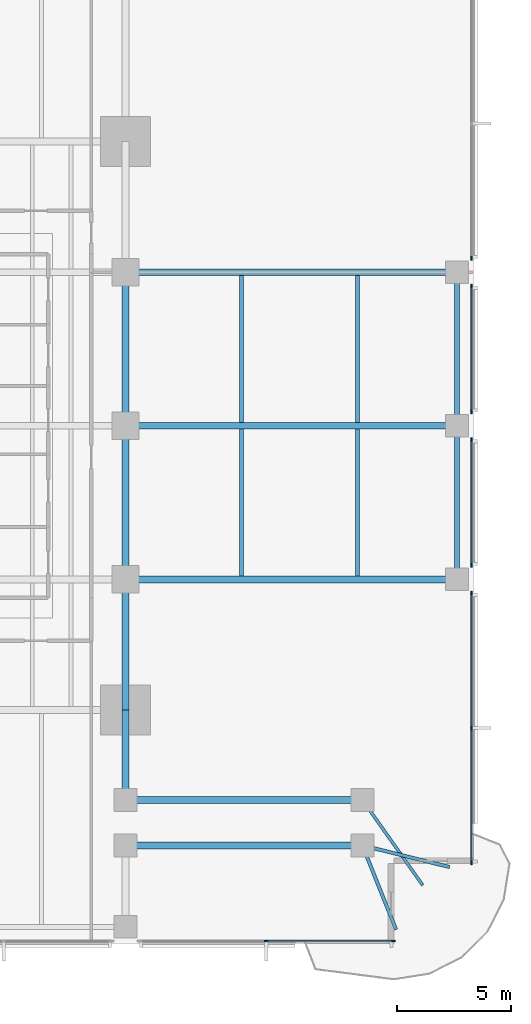
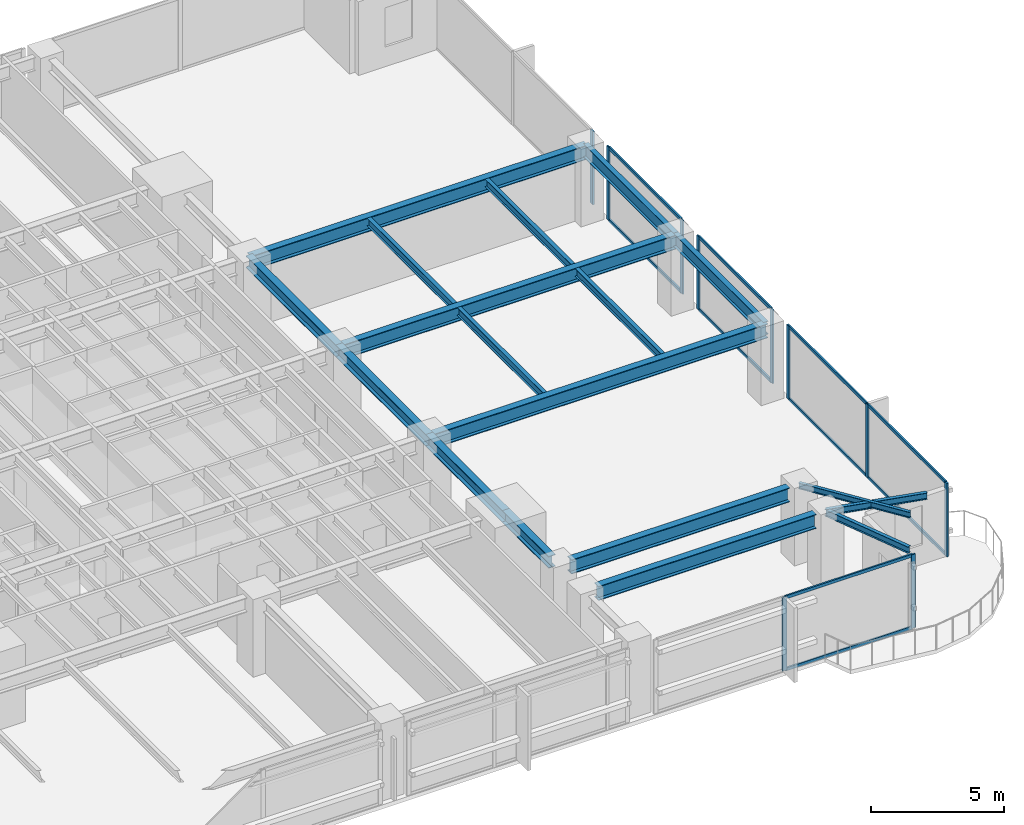
# One storey, part 4 of 15: 20 members, 18 beams, 5 elements without a shape of their own.
"""IFC4 building model written with IfcOpenShell, lengths in metres."""

from ifc_helpers import new_model, si_unit, direction, frame, origin, origin_2d, place, context, subcontext, project, spatial, rectangle, i_section, extrude, material, layer, layer_set, material_profile, profile_set, type_object, element, aggregate, save


model = new_model("IFC4")

# Units and contexts
model_context = context("Model", 3, precision=1e-05, world=origin(), true_north=direction((0.0, 1.0)))
body_context = subcontext(model_context, "Body", "Model", "MODEL_VIEW")
ifc_project = project(units=[si_unit("LENGTHUNIT", "METRE"), si_unit("AREAUNIT", "SQUARE_METRE"), si_unit("VOLUMEUNIT", "CUBIC_METRE"), si_unit("PLANEANGLEUNIT", "RADIAN"), si_unit("MASSUNIT", "GRAM", prefix="KILO")], contexts=[model_context])

# Site, building, storey
site_placement = place(None, origin())
site = spatial("IfcSite", under=ifc_project, at=site_placement, CompositionType="ELEMENT")
building_placement = place(site_placement, origin())
building = spatial("IfcBuilding", under=site, at=building_placement, Name="Kinhvarn Gate Tower", CompositionType="ELEMENT")
storey_placement = place(building_placement, frame((0.0, 0.0, 71.75)))
storey = spatial("IfcBuildingStorey", under=building, at=storey_placement, Name="L18", CompositionType="ELEMENT", Elevation=71.75)

# Curtain wall, members
ifc_material_1 = material(Name="Anodised aluminium AW-6063", Category="aluminium")
ifc_layer = layer(ifc_material_1, 0.179931640625)
ifc_layer_set = layer_set([ifc_layer], Name="Anodised aluminium AW-6063")
curtain_wall_type = type_object("IfcCurtainWallType", Name="CW-SYS-2", PredefinedType="NOTDEFINED", material=ifc_layer_set)
curtain_wall_1_placement = place(storey_placement, origin())
curtain_wall_1 = element("IfcCurtainWall", 1, at=curtain_wall_1_placement, inside=storey, type_object=curtain_wall_type, Name="Curtain Wall CW2 (L18)", PredefinedType="NOTDEFINED")
ifc_material_profile_1 = material_profile(ifc_material_1, rectangle(XDim=0.070068359375, YDim=0.179931640625, at=origin_2d()), Name="ALU 70x180")
ifc_profile_set_1 = profile_set([ifc_material_profile_1], Name="Anodised aluminium AW-6063")
member_type_1 = type_object("IfcMemberType", Name="CW-MUL-180", PredefinedType="MULLION", material=ifc_profile_set_1)
member_1_placement = place(storey_placement, frame((44.389892578125, 2.590087890625, 0.0), z_axis=(0.0, 0.0, 1.0), x_axis=(0.0, 1.0, 0.0)))
member_1 = element("IfcMember", 2, at=member_1_placement, type_object=member_type_1, Name="CW2 mullion 2", PredefinedType="MULLION", context=body_context, shape_type="SweptSolid", body=[
    extrude(rectangle(XDim=0.070068359375, YDim=0.179931640625, at=origin_2d()), origin(), (0.0, 0.0, 1.0), 3.3701171875),
])
member_2_placement = place(storey_placement, frame((49.965087890625, 2.590087890625, 0.0), z_axis=(0.0, 0.0, 1.0), x_axis=(0.0, 1.0, 0.0)))
member_2 = element("IfcMember", 3, at=member_2_placement, type_object=member_type_1, Name="CW2 mullion 3", PredefinedType="MULLION", context=body_context, shape_type="SweptSolid", body=[
    extrude(rectangle(XDim=0.070068359375, YDim=0.179931640625, at=origin_2d()), origin(), (0.0, 0.0, 1.0), 3.3701171875),
])

curtain_wall_2_placement = place(storey_placement, origin())
curtain_wall_2 = element("IfcCurtainWall", 4, at=curtain_wall_2_placement, inside=storey, type_object=curtain_wall_type, Name="Curtain Wall CW2 (L18)", PredefinedType="NOTDEFINED")
member_3_placement = place(storey_placement, frame((53.409912109375, 6.034912109375, 0.0), z_axis=(0.0, 0.0, 1.0), x_axis=(-1.0, 0.0, 0.0)))
member_3 = element("IfcMember", 5, at=member_3_placement, type_object=member_type_1, Name="CW2 mullion 1", PredefinedType="MULLION", context=body_context, shape_type="SweptSolid", body=[
    extrude(rectangle(XDim=0.070068359375, YDim=0.179931640625, at=origin_2d()), origin(), (0.0, 0.0, 1.0), 3.3701171875),
])
member_4_placement = place(storey_placement, frame((53.409912109375, 11.9599609375, 0.0), z_axis=(0.0, 0.0, 1.0), x_axis=(-1.0, 0.0, 0.0)))
member_4 = element("IfcMember", 6, at=member_4_placement, type_object=member_type_1, Name="CW2 mullion 2", PredefinedType="MULLION", context=body_context, shape_type="SweptSolid", body=[
    extrude(rectangle(XDim=0.070068359375, YDim=0.179931640625, at=origin_2d()), origin(), (0.0, 0.0, 1.0), 3.3701171875),
])
member_5_placement = place(storey_placement, frame((53.409912109375, 17.885009765625, 0.0), z_axis=(0.0, 0.0, 1.0), x_axis=(-1.0, 0.0, 0.0)))
member_5 = element("IfcMember", 7, at=member_5_placement, type_object=member_type_1, Name="CW2 mullion 3", PredefinedType="MULLION", context=body_context, shape_type="SweptSolid", body=[
    extrude(rectangle(XDim=0.070068359375, YDim=0.179931640625, at=origin_2d()), origin(), (0.0, 0.0, 1.0), 3.3701171875),
])

curtain_wall_3_placement = place(storey_placement, origin())
curtain_wall_3 = element("IfcCurtainWall", 8, at=curtain_wall_3_placement, inside=storey, type_object=curtain_wall_type, Name="Curtain Wall CW2 (L18)", PredefinedType="NOTDEFINED")
member_6_placement = place(storey_placement, frame((53.409912109375, 19.114990234375, 0.0), z_axis=(0.0, 0.0, 1.0), x_axis=(-1.0, 0.0, 0.0)))
member_6 = element("IfcMember", 9, at=member_6_placement, type_object=member_type_1, Name="CW2 mullion 1", PredefinedType="MULLION", context=body_context, shape_type="SweptSolid", body=[
    extrude(rectangle(XDim=0.070068359375, YDim=0.179931640625, at=origin_2d()), origin(), (0.0, 0.0, 1.0), 3.3701171875),
])
member_7_placement = place(storey_placement, frame((53.409912109375, 24.635009765625, 0.0), z_axis=(0.0, 0.0, 1.0), x_axis=(-1.0, 0.0, 0.0)))
member_7 = element("IfcMember", 10, at=member_7_placement, type_object=member_type_1, Name="CW2 mullion 2", PredefinedType="MULLION", context=body_context, shape_type="SweptSolid", body=[
    extrude(rectangle(XDim=0.070068359375, YDim=0.179931640625, at=origin_2d()), origin(), (0.0, 0.0, 1.0), 3.3701171875),
])

curtain_wall_4_placement = place(storey_placement, origin())
curtain_wall_4 = element("IfcCurtainWall", 11, at=curtain_wall_4_placement, inside=storey, type_object=curtain_wall_type, Name="Curtain Wall CW2 (L18)", PredefinedType="NOTDEFINED")
member_8_placement = place(storey_placement, frame((53.409912109375, 25.864990234375, 0.0), z_axis=(0.0, 0.0, 1.0), x_axis=(-1.0, 0.0, 0.0)))
member_8 = element("IfcMember", 12, at=member_8_placement, type_object=member_type_1, Name="CW2 mullion 1", PredefinedType="MULLION", context=body_context, shape_type="SweptSolid", body=[
    extrude(rectangle(XDim=0.070068359375, YDim=0.179931640625, at=origin_2d()), origin(), (0.0, 0.0, 1.0), 3.3701171875),
])
member_9_placement = place(storey_placement, frame((53.409912109375, 31.385009765625, 0.0), z_axis=(0.0, 0.0, 1.0), x_axis=(-1.0, 0.0, 0.0)))
member_9 = element("IfcMember", 13, at=member_9_placement, type_object=member_type_1, Name="CW2 mullion 2", PredefinedType="MULLION", context=body_context, shape_type="SweptSolid", body=[
    extrude(rectangle(XDim=0.070068359375, YDim=0.179931640625, at=origin_2d()), origin(), (0.0, 0.0, 1.0), 3.3701171875),
])

# Curtain wall, member
curtain_wall_5_placement = place(storey_placement, origin())
curtain_wall_5 = element("IfcCurtainWall", 14, at=curtain_wall_5_placement, inside=storey, type_object=curtain_wall_type, Name="Curtain Wall CW2 (L18)", PredefinedType="NOTDEFINED")
member_10_placement = place(storey_placement, frame((53.409912109375, 32.614990234375, 0.0), z_axis=(0.0, 0.0, 1.0), x_axis=(-1.0, 0.0, 0.0)))
member_10 = element("IfcMember", 15, at=member_10_placement, type_object=member_type_1, Name="CW2 mullion 1", PredefinedType="MULLION", context=body_context, shape_type="SweptSolid", body=[
    extrude(rectangle(XDim=0.070068359375, YDim=0.179931640625, at=origin_2d()), origin(), (0.0, 0.0, 1.0), 3.3701171875),
])
aggregate(curtain_wall_5, [member_10])

# Member
ifc_material_profile_2 = material_profile(ifc_material_1, rectangle(XDim=0.070068359375, YDim=0.139892578125, at=origin_2d()), Name="ALU 70x140")
ifc_profile_set_2 = profile_set([ifc_material_profile_2], Name="Anodised aluminium AW-6063")
member_type_2 = type_object("IfcMemberType", Name="CW-TRN-140", PredefinedType="USERDEFINED", material=ifc_profile_set_2)
member_11_placement = place(storey_placement, frame((44.425048828125, 2.590087890625, 0.034912109375), z_axis=(1.0, 0.0, 0.0), x_axis=(0.0, 1.0, 0.0)))
member_11 = element("IfcMember", 16, at=member_11_placement, type_object=member_type_2, Name="CW2 transom 2.1", ObjectType="TRANSOM", PredefinedType="USERDEFINED", context=body_context, shape_type="SweptSolid", body=[
    extrude(rectangle(XDim=0.070068359375, YDim=0.139892578125, at=origin_2d()), origin(), (0.0, 0.0, 1.0), 5.5048828125),
])

member_12_placement = place(storey_placement, frame((44.425048828125, 2.590087890625, 3.3349609375), z_axis=(1.0, 0.0, 0.0), x_axis=(0.0, 1.0, 0.0)))
member_12 = element("IfcMember", 17, at=member_12_placement, type_object=member_type_2, Name="CW2 transom 2.2", ObjectType="TRANSOM", PredefinedType="USERDEFINED", context=body_context, shape_type="SweptSolid", body=[
    extrude(rectangle(XDim=0.070068359375, YDim=0.139892578125, at=origin_2d()), origin(), (0.0, 0.0, 1.0), 5.5048828125),
])

aggregate(curtain_wall_1, [member_1, member_2, member_11, member_12])

member_13_placement = place(storey_placement, frame((53.409912109375, 6.070068359375, 0.034912109375), z_axis=(0.0, 1.0, 0.0), x_axis=(-1.0, 0.0, 0.0)))
member_13 = element("IfcMember", 18, at=member_13_placement, type_object=member_type_2, Name="CW2 transom 1.1", ObjectType="TRANSOM", PredefinedType="USERDEFINED", context=body_context, shape_type="SweptSolid", body=[
    extrude(rectangle(XDim=0.070068359375, YDim=0.139892578125, at=origin_2d()), origin(), (0.0, 0.0, 1.0), 5.85498046875),
])

member_14_placement = place(storey_placement, frame((53.409912109375, 6.070068359375, 3.3349609375), z_axis=(0.0, 1.0, 0.0), x_axis=(-1.0, 0.0, 0.0)))
member_14 = element("IfcMember", 19, at=member_14_placement, type_object=member_type_2, Name="CW2 transom 1.2", ObjectType="TRANSOM", PredefinedType="USERDEFINED", context=body_context, shape_type="SweptSolid", body=[
    extrude(rectangle(XDim=0.070068359375, YDim=0.139892578125, at=origin_2d()), origin(), (0.0, 0.0, 1.0), 5.85498046875),
])

member_15_placement = place(storey_placement, frame((53.409912109375, 11.9951171875, 0.034912109375), z_axis=(0.0, 1.0, 0.0), x_axis=(-1.0, 0.0, 0.0)))
member_15 = element("IfcMember", 20, at=member_15_placement, type_object=member_type_2, Name="CW2 transom 2.1", ObjectType="TRANSOM", PredefinedType="USERDEFINED", context=body_context, shape_type="SweptSolid", body=[
    extrude(rectangle(XDim=0.070068359375, YDim=0.139892578125, at=origin_2d()), origin(), (0.0, 0.0, 1.0), 5.85498046875),
])

member_16_placement = place(storey_placement, frame((53.409912109375, 11.9951171875, 3.3349609375), z_axis=(0.0, 1.0, 0.0), x_axis=(-1.0, 0.0, 0.0)))
member_16 = element("IfcMember", 21, at=member_16_placement, type_object=member_type_2, Name="CW2 transom 2.2", ObjectType="TRANSOM", PredefinedType="USERDEFINED", context=body_context, shape_type="SweptSolid", body=[
    extrude(rectangle(XDim=0.070068359375, YDim=0.139892578125, at=origin_2d()), origin(), (0.0, 0.0, 1.0), 5.85498046875),
])

aggregate(curtain_wall_2, [member_3, member_4, member_5, member_13, member_14, member_15, member_16])

member_17_placement = place(storey_placement, frame((53.409912109375, 19.14990234375, 0.034912109375), z_axis=(0.0, 1.0, 0.0), x_axis=(-1.0, 0.0, 0.0)))
member_17 = element("IfcMember", 22, at=member_17_placement, type_object=member_type_2, Name="CW2 transom 1.1", ObjectType="TRANSOM", PredefinedType="USERDEFINED", context=body_context, shape_type="SweptSolid", body=[
    extrude(rectangle(XDim=0.070068359375, YDim=0.139892578125, at=origin_2d()), origin(), (0.0, 0.0, 1.0), 5.4501953125),
])

member_18_placement = place(storey_placement, frame((53.409912109375, 19.14990234375, 3.3349609375), z_axis=(0.0, 1.0, 0.0), x_axis=(-1.0, 0.0, 0.0)))
member_18 = element("IfcMember", 23, at=member_18_placement, type_object=member_type_2, Name="CW2 transom 1.2", ObjectType="TRANSOM", PredefinedType="USERDEFINED", context=body_context, shape_type="SweptSolid", body=[
    extrude(rectangle(XDim=0.070068359375, YDim=0.139892578125, at=origin_2d()), origin(), (0.0, 0.0, 1.0), 5.4501953125),
])

aggregate(curtain_wall_3, [member_6, member_7, member_17, member_18])

member_19_placement = place(storey_placement, frame((53.409912109375, 25.89990234375, 0.034912109375), z_axis=(0.0, 1.0, 0.0), x_axis=(-1.0, 0.0, 0.0)))
member_19 = element("IfcMember", 24, at=member_19_placement, type_object=member_type_2, Name="CW2 transom 1.1", ObjectType="TRANSOM", PredefinedType="USERDEFINED", context=body_context, shape_type="SweptSolid", body=[
    extrude(rectangle(XDim=0.070068359375, YDim=0.139892578125, at=origin_2d()), origin(), (0.0, 0.0, 1.0), 5.4501953125),
])

member_20_placement = place(storey_placement, frame((53.409912109375, 25.89990234375, 3.3349609375), z_axis=(0.0, 1.0, 0.0), x_axis=(-1.0, 0.0, 0.0)))
member_20 = element("IfcMember", 25, at=member_20_placement, type_object=member_type_2, Name="CW2 transom 1.2", ObjectType="TRANSOM", PredefinedType="USERDEFINED", context=body_context, shape_type="SweptSolid", body=[
    extrude(rectangle(XDim=0.070068359375, YDim=0.139892578125, at=origin_2d()), origin(), (0.0, 0.0, 1.0), 5.4501953125),
])

aggregate(curtain_wall_4, [member_8, member_9, member_19, member_20])

# Beams
ifc_material_2 = material(Name="Steel S355", Category="steel")
ifc_material_profile_3 = material_profile(ifc_material_2, i_section(OverallWidth=0.300048828125, OverallDepth=0.550048828125, WebThickness=0.014892578125, FlangeThickness=0.029052734375, at=origin_2d()), Name="HEB 550")
ifc_profile_set_3 = profile_set([ifc_material_profile_3], Name="Steel S355")
beam_type_1 = type_object("IfcBeamType", Name="STL-HEB550", PredefinedType="BEAM", material=ifc_profile_set_3)
beam_1_placement = place(storey_placement, frame((38.199951171875, 9.284912109375, 3.094970703125), z_axis=(0.0, 1.0, 0.0), x_axis=(-1.0, 0.0, 0.0)))
element("IfcBeam", 26, at=beam_1_placement, inside=storey, type_object=beam_type_1, Name="Floor Beam PG-15 (L18 MCE-S-A2)", PredefinedType="BEAM", context=body_context, shape_type="SweptSolid", body=[
    extrude(i_section(OverallWidth=0.300048828125, OverallDepth=0.550048828125, WebThickness=0.014892578125, FlangeThickness=0.029052734375, at=origin_2d()), origin(), (0.0, 0.0, 1.0), 3.465087890625),
])
beam_2_placement = place(storey_placement, frame((38.199951171875, 12.75, 3.094970703125), z_axis=(0.0, 1.0, 0.0), x_axis=(-1.0, 0.0, 0.0)))
element("IfcBeam", 27, at=beam_2_placement, inside=storey, type_object=beam_type_1, Name="Floor Beam PG-15 (L18 MG-E-12)", PredefinedType="BEAM", context=body_context, shape_type="SweptSolid", body=[
    extrude(i_section(OverallWidth=0.300048828125, OverallDepth=0.550048828125, WebThickness=0.014892578125, FlangeThickness=0.029052734375, at=origin_2d()), origin(), (0.0, 0.0, 1.0), 5.75),
])
for number, where, z_axis, x_axis, name in (
    (28, (38.199951171875, 18.5, 3.094970703125), (0.0, 1.0, 0.0), (-1.0, 0.0, 0.0), "Floor Beam PG-15 (L18 MG-E-18)"),
    (29, (38.199951171875, 25.25, 3.094970703125), (0.0, 1.0, 0.0), (-1.0, 0.0, 0.0), "Floor Beam PG-15 (L18 MG-E-25)"),
):
    element("IfcBeam", number, at=place(storey_placement, frame(where, z_axis=z_axis, x_axis=x_axis)), inside=storey, type_object=beam_type_1, Name=name, PredefinedType="BEAM", context=body_context, shape_type="SweptSolid", body=[
        extrude(i_section(OverallWidth=0.300048828125, OverallDepth=0.550048828125, WebThickness=0.014892578125, FlangeThickness=0.029052734375, at=origin_2d()), origin(), (0.0, 0.0, 1.0), 6.75),
    ])
ifc_material_profile_4 = material_profile(ifc_material_2, i_section(OverallWidth=0.300048828125, OverallDepth=0.64990234375, WebThickness=0.01611328125, FlangeThickness=0.031005859375, at=origin_2d()), Name="HEB 650")
ifc_profile_set_4 = profile_set([ifc_material_profile_4], Name="Steel S355")
beam_type_2 = type_object("IfcBeamType", Name="STL-HEB650", PredefinedType="BEAM", material=ifc_profile_set_4)
for number, where, z_axis, x_axis, name in (
    (30, (38.68505859375, 8.800048828125, 3.044921875), (1.0, 0.0, 0.0), (0.0, 1.0, 0.0), "Floor Beam PG-17 (L18 SP-SE1B)"),
    (31, (38.68505859375, 6.800048828125, 3.044921875), (1.0, 0.0, 0.0), (0.0, 1.0, 0.0), "Floor Beam PG-17 (L18 SP-SE1A)"),
):
    element("IfcBeam", number, at=place(storey_placement, frame(where, z_axis=z_axis, x_axis=x_axis)), inside=storey, type_object=beam_type_2, Name=name, PredefinedType="BEAM", context=body_context, shape_type="SweptSolid", body=[
        extrude(i_section(OverallWidth=0.300048828125, OverallDepth=0.64990234375, WebThickness=0.01611328125, FlangeThickness=0.031005859375, at=origin_2d()), origin(), (0.0, 0.0, 1.0), 9.449951171875),
    ])
for number, where, z_axis, x_axis, name in (
    (32, (38.199951171875, 18.5, 3.044921875), (1.0, 0.0, 0.0), (0.0, 1.0, 0.0), "Floor Beam PG-17 (L18 EW2-Y18)"),
    (33, (38.199951171875, 25.25, 3.044921875), (1.0, 0.0, 0.0), (0.0, 1.0, 0.0), "Floor Beam PG-17 (L18 EW2-Y25)"),
    (34, (38.199951171875, 32.0, 3.044921875), (1.0, 0.0, 0.0), (0.0, 1.0, 0.0), "Floor Beam PG-17 (L18 EW2-Y32)"),
):
    element("IfcBeam", number, at=place(storey_placement, frame(where, z_axis=z_axis, x_axis=x_axis)), inside=storey, type_object=beam_type_2, Name=name, PredefinedType="BEAM", context=body_context, shape_type="SweptSolid", body=[
        extrude(i_section(OverallWidth=0.300048828125, OverallDepth=0.64990234375, WebThickness=0.01611328125, FlangeThickness=0.031005859375, at=origin_2d()), origin(), (0.0, 0.0, 1.0), 14.580078125),
    ])
ifc_material_profile_5 = material_profile(ifc_material_2, i_section(OverallWidth=0.135009765625, OverallDepth=0.27001953125, WebThickness=0.006591796875, FlangeThickness=0.01025390625, at=origin_2d()), Name="IPE 270")
ifc_profile_set_5 = profile_set([ifc_material_profile_5], Name="Steel S355")
beam_type_3 = type_object("IfcBeamType", Name="STL-IPE270", PredefinedType="JOIST", material=ifc_profile_set_5)
beam_3_placement = place(storey_placement, frame((48.6201171875, 8.800048828125, 3.235107421875), z_axis=(0.57709644225, -0.81667600451, 0.0), x_axis=(0.81667600451, 0.57709644225, 0.0)))
element("IfcBeam", 35, at=beam_3_placement, inside=storey, type_object=beam_type_3, Name="Floor Joist SB-01 (L18 BAL-B3-L19)", PredefinedType="JOIST", context=body_context, shape_type="SweptSolid", body=[
    extrude(i_section(OverallWidth=0.135009765625, OverallDepth=0.27001953125, WebThickness=0.006591796875, FlangeThickness=0.01025390625, at=origin_2d()), origin(), (0.0, 0.0, 1.0), 4.591796875),
])
ifc_material_profile_6 = material_profile(ifc_material_2, i_section(OverallWidth=0.14990234375, OverallDepth=0.300048828125, WebThickness=0.007080078125, FlangeThickness=0.0107421875, at=origin_2d()), Name="IPE 300")
ifc_profile_set_6 = profile_set([ifc_material_profile_6], Name="Steel S355")
beam_type_4 = type_object("IfcBeamType", Name="STL-IPE300", PredefinedType="JOIST", material=ifc_profile_set_6)
beam_4_placement = place(storey_placement, frame((48.6201171875, 6.800048828125, 3.219970703125), z_axis=(0.97058851083, -0.240744558911, 0.0), x_axis=(0.240744558911, 0.97058851083, 0.0)))
element("IfcBeam", 36, at=beam_4_placement, inside=storey, type_object=beam_type_4, Name="Floor Joist SB-02 (L18 BAL-B1-L19)", PredefinedType="JOIST", context=body_context, shape_type="SweptSolid", body=[
    extrude(i_section(OverallWidth=0.14990234375, OverallDepth=0.300048828125, WebThickness=0.007080078125, FlangeThickness=0.0107421875, at=origin_2d()), origin(), (0.0, 0.0, 1.0), 3.94580078125),
])
beam_5_placement = place(storey_placement, frame((48.6201171875, 6.800048828125, 3.219970703125), z_axis=(0.371390676354, -0.928476690885, 0.0), x_axis=(0.928476690885, 0.371390676354, 0.0)))
element("IfcBeam", 37, at=beam_5_placement, inside=storey, type_object=beam_type_4, Name="Floor Joist SB-02 (L18 BAL-B2-L19)", PredefinedType="JOIST", context=body_context, shape_type="SweptSolid", body=[
    extrude(i_section(OverallWidth=0.14990234375, OverallDepth=0.300048828125, WebThickness=0.007080078125, FlangeThickness=0.0107421875, at=origin_2d()), origin(), (0.0, 0.0, 1.0), 3.98486328125),
])
ifc_material_profile_7 = material_profile(ifc_material_2, i_section(OverallWidth=0.169921875, OverallDepth=0.360107421875, WebThickness=0.008056640625, FlangeThickness=0.0126953125, at=origin_2d()), Name="IPE 360")
ifc_profile_set_7 = profile_set([ifc_material_profile_7], Name="Steel S355")
beam_type_5 = type_object("IfcBeamType", Name="STL-IPE360", PredefinedType="JOIST", material=ifc_profile_set_7)
for number, where, z_axis, x_axis, name in (
    (38, (43.300048828125, 18.64990234375, 3.18994140625), (0.0, 1.0, 0.0), (-1.0, 0.0, 0.0), "Floor Joist SB-04 (L18 JC-X433-1)"),
    (39, (43.300048828125, 25.39990234375, 3.18994140625), (0.0, 1.0, 0.0), (-1.0, 0.0, 0.0), "Floor Joist SB-04 (L18 JC-X433-2)"),
    (40, (48.409912109375, 18.64990234375, 3.18994140625), (0.0, 1.0, 0.0), (-1.0, 0.0, 0.0), "Floor Joist SB-04 (L18 JC-X484-1)"),
    (41, (48.409912109375, 25.39990234375, 3.18994140625), (0.0, 1.0, 0.0), (-1.0, 0.0, 0.0), "Floor Joist SB-04 (L18 JC-X484-2)"),
):
    element("IfcBeam", number, at=place(storey_placement, frame(where, z_axis=z_axis, x_axis=x_axis)), inside=storey, type_object=beam_type_5, Name=name, PredefinedType="JOIST", context=body_context, shape_type="SweptSolid", body=[
        extrude(i_section(OverallWidth=0.169921875, OverallDepth=0.360107421875, WebThickness=0.008056640625, FlangeThickness=0.0126953125, at=origin_2d()), origin(), (0.0, 0.0, 1.0), 6.4501953125),
    ])
ifc_material_profile_8 = material_profile(ifc_material_2, i_section(OverallWidth=0.219970703125, OverallDepth=0.60009765625, WebThickness=0.011962890625, FlangeThickness=0.01904296875, at=origin_2d()), Name="IPE 600")
ifc_profile_set_8 = profile_set([ifc_material_profile_8], Name="Steel S355")
beam_type_6 = type_object("IfcBeamType", Name="STL-IPE600", PredefinedType="SPANDREL", material=ifc_profile_set_8)
for number, where, z_axis, x_axis, name in (
    (42, (52.780029296875, 18.5, 3.070068359375), (0.0, 1.0, 0.0), (-1.0, 0.0, 0.0), "Floor Spandrel SB-09 (L18 SP-E2)"),
    (43, (52.780029296875, 25.25, 3.070068359375), (0.0, 1.0, 0.0), (-1.0, 0.0, 0.0), "Floor Spandrel SB-09 (L18 SP-E3)"),
):
    element("IfcBeam", number, at=place(storey_placement, frame(where, z_axis=z_axis, x_axis=x_axis)), inside=storey, type_object=beam_type_6, Name=name, PredefinedType="SPANDREL", context=body_context, shape_type="SweptSolid", body=[
        extrude(i_section(OverallWidth=0.219970703125, OverallDepth=0.60009765625, WebThickness=0.011962890625, FlangeThickness=0.01904296875, at=origin_2d()), origin(), (0.0, 0.0, 1.0), 6.75),
    ])

save(model, "model.ifc")
